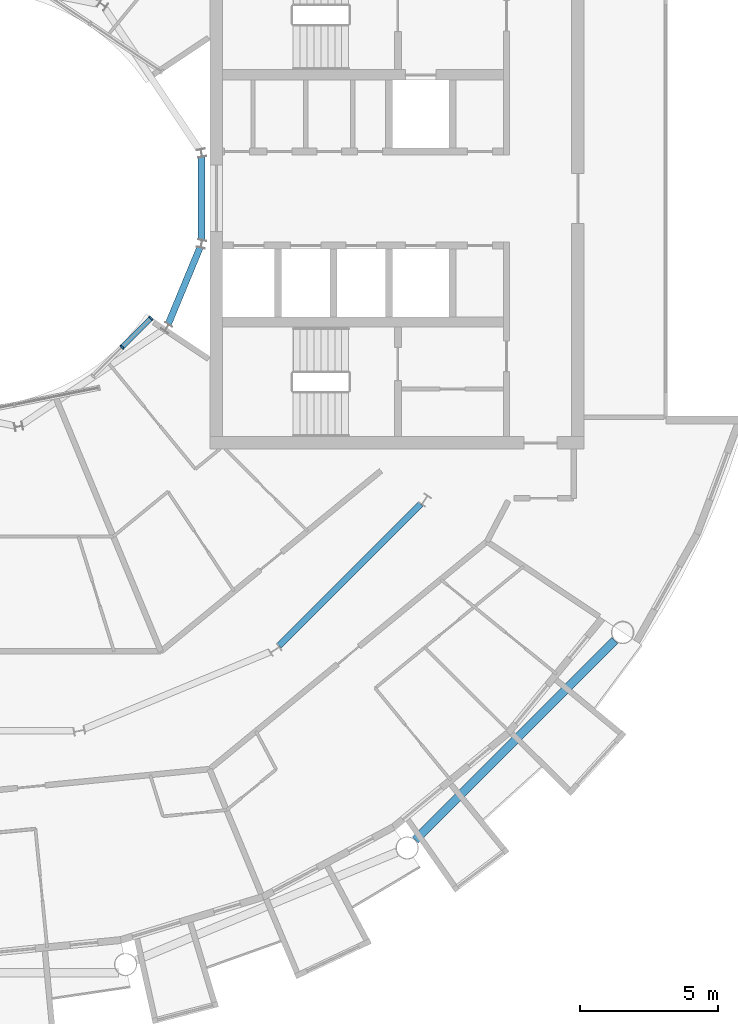
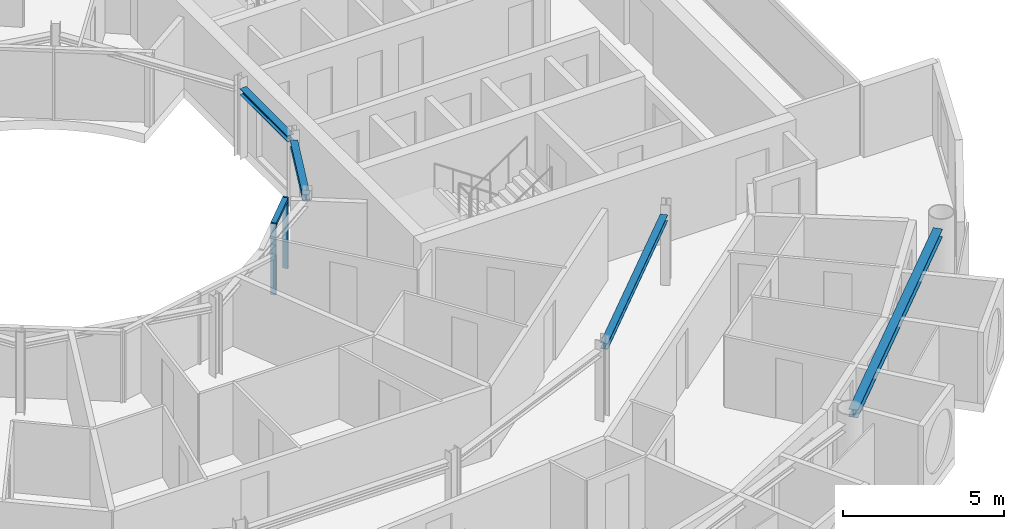
# One storey, part 8 of 29: 4 beams, 3 members, 1 element without a shape of its own.
"""IFC4 building model written with IfcOpenShell, lengths in metres."""

import ifcopenshell
import ifcopenshell.guid

model = None  # the IFC model being written
_history = None  # IfcOwnerHistory: only IFC2X3 demands one
_inside = {}  # id of a spatial element -> (the spatial element, [elements in it])
_under = {}  # id of a project, library or spatial element -> (it, [spatial elements below it])
_declared = {}  # id of a project -> (the project, [libraries it declares])
_typed = {}  # id of a type object -> (the type object, [elements of that type])
_made_of = {}  # id of a material, layer set ... -> (it, [elements and type objects made of it])


def new_model(schema):
    """Start an empty IFC model of exactly this schema.

    Asked for "IFC4X3", IfcOpenShell would pick the latest addendum, in which some entities
    have other attributes; the version numbers below select the first issue.
    IFC2X3 requires an IfcOwnerHistory on every rooted entity: one is made here for all.
    """
    global model, _history
    if schema == "IFC4X3":
        model = ifcopenshell.file(schema_version=(4, 3, 0, 0))
    else:
        model = ifcopenshell.file(schema=schema)
    _inside.clear()
    _under.clear()
    _declared.clear()
    _typed.clear()
    _made_of.clear()
    _history = None
    if model.schema == "IFC2X3":
        org = make("IfcOrganization", Name="unknown")
        user = make(
            "IfcPersonAndOrganization",
            ThePerson=make("IfcPerson", FamilyName="unknown"),
            TheOrganization=org,
        )
        app = make(
            "IfcApplication",
            ApplicationDeveloper=org,
            Version="unknown",
            ApplicationFullName="unknown",
            ApplicationIdentifier="unknown",
        )
        _history = make(
            "IfcOwnerHistory",
            OwningUser=user,
            OwningApplication=app,
            ChangeAction="ADDED",
            CreationDate=0,
        )
    return model


def make(cls, **values):
    """One entity of the class cls with the attributes given. An attribute that is None is left unset."""
    return model.create_entity(
        cls, **{name: value for name, value in values.items() if value is not None}
    )


def rooted(cls, **values):
    """An entity with a GlobalId (a new one), such as an element, a storey or a relation."""
    return make(cls, GlobalId=ifcopenshell.guid.new(), OwnerHistory=_history, **values)


def si_unit(unit_type, name, prefix=None):
    """IfcSIUnit, for example si_unit("LENGTHUNIT", "METRE", prefix="MILLI")."""
    return make("IfcSIUnit", UnitType=unit_type, Prefix=prefix, Name=name)


def assignment(units):
    """IfcUnitAssignment: the units of a project."""
    return None if units is None else make("IfcUnitAssignment", Units=units)


def point(xyz):
    """IfcCartesianPoint."""
    return None if xyz is None else make("IfcCartesianPoint", Coordinates=xyz)


def direction(xyz):
    """IfcDirection."""
    return None if xyz is None else make("IfcDirection", DirectionRatios=xyz)


def frame(location, z_axis=None, x_axis=None):
    """IfcAxis2Placement3D, a coordinate frame: its origin and axes. An axis left out is left unset."""
    return make(
        "IfcAxis2Placement3D",
        Location=point(location),
        Axis=direction(z_axis),
        RefDirection=direction(x_axis),
    )


def frame_2d(location, x_axis=None):
    """IfcAxis2Placement2D, a coordinate frame in the plane: its origin and x axis."""
    return make(
        "IfcAxis2Placement2D", Location=point(location), RefDirection=direction(x_axis)
    )


def origin():
    """The frame at (0, 0, 0) with its axes left unset."""
    return frame((0.0, 0.0, 0.0))


def origin_2d():
    """The frame at (0, 0) in the plane with its x axis left unset."""
    return frame_2d((0.0, 0.0))


def place(relative_to, where):
    """IfcLocalPlacement: puts the frame where relative to a parent placement (None: the world)."""
    return make(
        "IfcLocalPlacement", PlacementRelTo=relative_to, RelativePlacement=where
    )


def context(
    kind, dimensions, precision=None, world=None, true_north=None, identifier=None
):
    """IfcGeometricRepresentationContext, for example the 3D "Model" context."""
    return make(
        "IfcGeometricRepresentationContext",
        ContextIdentifier=identifier,
        ContextType=kind,
        CoordinateSpaceDimension=dimensions,
        Precision=precision,
        WorldCoordinateSystem=world,
        TrueNorth=true_north,
    )


def subcontext(parent, identifier, kind, view, scale=None):
    """IfcGeometricRepresentationSubContext, for example "Body" below "Model"."""
    return make(
        "IfcGeometricRepresentationSubContext",
        ContextIdentifier=identifier,
        ContextType=kind,
        ParentContext=parent,
        TargetScale=scale,
        TargetView=view,
    )


def project(units=None, contexts=None):
    """IfcProject with its units and contexts."""
    return rooted(
        "IfcProject",
        Name="project",
        RepresentationContexts=contexts,
        UnitsInContext=assignment(units),
    )


def spatial(cls, under=None, at=None, **own):
    """A site, building, storey or space (cls), placed at a placement, below another one or the project."""
    s = rooted(cls, ObjectPlacement=at, **own)
    if under is not None:
        _under.setdefault(under.id(), (under, []))[1].append(s)
    return s


def profile(cls, at=None, kind="AREA", **sizes):
    """A parametric profile (cls). Its sizes go by their IFC names, for example OverallWidth=200.0."""
    return make(cls, ProfileType=kind, Position=at, **sizes)


def rectangle(**sizes):
    """IfcRectangleProfileDef."""
    return profile("IfcRectangleProfileDef", **sizes)


def i_section(**sizes):
    """IfcIShapeProfileDef."""
    return profile("IfcIShapeProfileDef", **sizes)


def extrude(swept, where, along, depth):
    """IfcExtrudedAreaSolid: the profile swept, set in the frame where, extruded along a direction by depth."""
    return make(
        "IfcExtrudedAreaSolid",
        SweptArea=swept,
        Position=where,
        ExtrudedDirection=direction(along),
        Depth=depth,
    )


def shape(context_of_items, identifier, shape_type, items):
    """IfcShapeRepresentation: the items that make up one representation, for example the "Body"."""
    return make(
        "IfcShapeRepresentation",
        ContextOfItems=context_of_items,
        RepresentationIdentifier=identifier,
        RepresentationType=shape_type,
        Items=items,
    )


def material(Name=None, Category=None):
    """IfcMaterial."""
    return make("IfcMaterial", Name=Name, Category=Category)


def layer(
    of_material, thickness, ventilated=None, Name=None, Category=None, Priority=None
):
    """IfcMaterialLayer: one layer of a wall or slab, of a material (None: an air gap)."""
    return make(
        "IfcMaterialLayer",
        Material=of_material,
        LayerThickness=thickness,
        IsVentilated=ventilated,
        Name=Name,
        Category=Category,
        Priority=Priority,
    )


def layer_set(layers, Name=None):
    """IfcMaterialLayerSet."""
    return make("IfcMaterialLayerSet", MaterialLayers=layers, LayerSetName=Name)


def material_profile(
    of_material, cross_section, Name=None, Category=None, Priority=None
):
    """IfcMaterialProfile: a cross section and its material."""
    return make(
        "IfcMaterialProfile",
        Name=Name,
        Material=of_material,
        Profile=cross_section,
        Priority=Priority,
        Category=Category,
    )


def profile_set(profiles, Name=None, composite=None):
    """IfcMaterialProfileSet."""
    return make(
        "IfcMaterialProfileSet",
        Name=Name,
        MaterialProfiles=profiles,
        CompositeProfile=composite,
    )


def made_of(thing, what):
    """Note that an element or type object is made of a material, layer set ...; save() writes the relation."""
    if what is not None:
        _made_of.setdefault(what.id(), (what, []))[1].append(thing)
    return thing


def type_object(cls, material=None, **own):
    """A type object (cls), such as IfcWallType, which elements share."""
    return made_of(rooted(cls, **own), material)


def element(
    cls,
    number,
    at=None,
    inside=None,
    cuts=None,
    type_object=None,
    material=None,
    context=None,
    identifier="Body",
    shape_type=None,
    held_by="IfcProductDefinitionShape",
    body=None,
    shapes=None,
    **own,
):
    """One element of the class cls, such as IfcWall. Its Tag is "e" and its number.

    at: its placement. inside: the storey or other place that contains it. cuts: it is an
    opening in that element (IfcRelVoidsElement). A single representation is given by context,
    identifier, shape_type and body (its items); several are given by shapes. held_by: the class
    of the entity that holds the representations. save() writes the other relations.
    """
    e = rooted(cls, Tag="e%d" % number, ObjectPlacement=at, **own)
    if body is not None:
        shapes = [shape(context, identifier, shape_type, body)]
    if shapes is not None:
        e.Representation = make(held_by, Representations=shapes)
    if inside is not None:
        _inside.setdefault(inside.id(), (inside, []))[1].append(e)
    if cuts is not None:
        rooted(
            "IfcRelVoidsElement", RelatingBuildingElement=cuts, RelatedOpeningElement=e
        )
    if type_object is not None:
        _typed.setdefault(type_object.id(), (type_object, []))[1].append(e)
    return made_of(e, material)


def aggregate(whole, parts):
    """IfcRelAggregates: a whole, such as a stair, and the parts it consists of."""
    return rooted("IfcRelAggregates", RelatingObject=whole, RelatedObjects=parts)


def save(model, path):
    """Write the relations noted so far, then the file.

    IfcRelAggregates (storeys below a building ...), IfcRelContainedInSpatialStructure (elements
    in a storey), IfcRelDefinesByType, IfcRelAssociatesMaterial and IfcRelDeclares: one each for
    every whole, place, type object, material and project.
    """
    for whole, parts in _under.values():
        aggregate(whole, parts)
    for where, things in _inside.values():
        rooted(
            "IfcRelContainedInSpatialStructure",
            RelatedElements=things,
            RelatingStructure=where,
        )
    for kind, things in _typed.values():
        rooted("IfcRelDefinesByType", RelatedObjects=things, RelatingType=kind)
    for what, things in _made_of.values():
        rooted("IfcRelAssociatesMaterial", RelatedObjects=things, RelatingMaterial=what)
    for by, libraries in _declared.values():
        rooted("IfcRelDeclares", RelatingContext=by, RelatedDefinitions=libraries)
    model.write(path)


model = new_model("IFC4")

# Units and contexts
model_context = context("Model", 3, precision=1e-05, world=origin(), true_north=direction((0.0, 1.0)))
body_context = subcontext(model_context, "Body", "Model", "MODEL_VIEW")
ifc_project = project(units=[si_unit("LENGTHUNIT", "METRE"), si_unit("AREAUNIT", "SQUARE_METRE"), si_unit("VOLUMEUNIT", "CUBIC_METRE"), si_unit("PLANEANGLEUNIT", "RADIAN"), si_unit("MASSUNIT", "GRAM", prefix="KILO")], contexts=[model_context])

# Site, building, storey
site_placement = place(None, origin())
site = spatial("IfcSite", under=ifc_project, at=site_placement, CompositionType="ELEMENT")
building_placement = place(site_placement, origin())
building = spatial("IfcBuilding", under=site, at=building_placement, Name="Maasbend Ring Residences", CompositionType="ELEMENT")
storey_placement = place(building_placement, frame((0.0, 0.0, 205.449951171875)))
storey = spatial("IfcBuildingStorey", under=building, at=storey_placement, Name="L59", CompositionType="ELEMENT", Elevation=205.449951171875)

# Curtain wall, members
ifc_material_1 = material(Name="Aluminium and clear glass", Category="aluminium")
ifc_layer = layer(ifc_material_1, 0.179931640625)
ifc_layer_set = layer_set([ifc_layer], Name="CW-W")
curtain_wall_type = type_object("IfcCurtainWallType", Name="CW-W", PredefinedType="NOTDEFINED", material=ifc_layer_set)
curtain_wall_placement = place(storey_placement, origin())
curtain_wall = element("IfcCurtainWall", 1, at=curtain_wall_placement, inside=storey, type_object=curtain_wall_type, Name="Well curtain wall S3", PredefinedType="NOTDEFINED")
ifc_material_2 = material(Name="Aluminium 6063-T6", Category="aluminium")
ifc_material_profile_1 = material_profile(ifc_material_2, rectangle(XDim=0.179931640625, YDim=0.06005859375, at=origin_2d()), Name="AL 180x60")
ifc_profile_set_1 = profile_set([ifc_material_profile_1], Name="Aluminium 6063-T6")
member_type_1 = type_object("IfcMemberType", Name="CWM-W", PredefinedType="MULLION", material=ifc_profile_set_1)
member_1_placement = place(storey_placement, frame((5.366943359375, -5.366943359375, 0.0), z_axis=(0.0, 0.0, 1.0), x_axis=(-0.707106781187, 0.707106781187, 0.0)))
member_1 = element("IfcMember", 2, at=member_1_placement, type_object=member_type_1, Name="Mullion well face", PredefinedType="MULLION", context=body_context, shape_type="SweptSolid", body=[
    extrude(rectangle(XDim=0.179931640625, YDim=0.06005859375, at=origin_2d()), origin(), (0.0, 0.0, 1.0), 2.699951171875),
])
member_2_placement = place(storey_placement, frame((6.413330078125, -4.320556640625, 0.0), z_axis=(0.0, 0.0, 1.0), x_axis=(-0.707106781187, 0.707106781187, 0.0)))
member_2 = element("IfcMember", 3, at=member_2_placement, type_object=member_type_1, Name="Mullion well face", PredefinedType="MULLION", context=body_context, shape_type="SweptSolid", body=[
    extrude(rectangle(XDim=0.179931640625, YDim=0.06005859375, at=origin_2d()), origin(), (0.0, 0.0, 1.0), 2.699951171875),
])
ifc_material_3 = material(Name="Aluminium 6063-T6", Category="aluminium")
ifc_material_profile_2 = material_profile(ifc_material_3, rectangle(XDim=0.179931640625, YDim=0.1201171875, at=origin_2d()), Name="AL 180x120")
ifc_profile_set_2 = profile_set([ifc_material_profile_2], Name="Aluminium 6063-T6")
member_type_2 = type_object("IfcMemberType", Name="CWT-W", PredefinedType="USERDEFINED", material=ifc_profile_set_2)
member_3_placement = place(storey_placement, frame((5.38818359375, -5.345703125, 2.64013671875), z_axis=(0.707106781187, 0.707106781187, 0.0), x_axis=(-0.707106781187, 0.707106781187, 0.0)))
member_3 = element("IfcMember", 4, at=member_3_placement, type_object=member_type_2, Name="Transom well face", ObjectType="TRANSOM", PredefinedType="USERDEFINED", context=body_context, shape_type="SweptSolid", body=[
    extrude(rectangle(XDim=0.179931640625, YDim=0.1201171875, at=origin_2d()), origin(), (0.0, 0.0, 1.0), 1.419677734375),
])
aggregate(curtain_wall, [member_1, member_2, member_3])

# Beams
ifc_material_4 = material(Name="Steel S355J2", Category="steel")
ifc_material_profile_3 = material_profile(ifc_material_4, i_section(OverallWidth=0.239990234375, OverallDepth=0.22998046875, WebThickness=0.007568359375, FlangeThickness=0.011962890625, FilletRadius=0.02099609375, at=origin_2d()), Name="HEA 240")
ifc_profile_set_3 = profile_set([ifc_material_profile_3], Name="Steel S355J2")
beam_type_1 = type_object("IfcBeamType", Name="Corridor ring beam HEA 240", PredefinedType="BEAM", material=ifc_profile_set_3)
beam_1_placement = place(storey_placement, frame((11.033447265625, -16.152587890625, 2.5849609375), z_axis=(0.707106781187, 0.707106781187, 0.0), x_axis=(-0.707106781187, 0.707106781187, 0.0)))
element("IfcBeam", 5, at=beam_1_placement, inside=storey, type_object=beam_type_1, Name="Corridor ring beam", PredefinedType="BEAM", context=body_context, shape_type="SweptSolid", body=[
    extrude(i_section(OverallWidth=0.239990234375, OverallDepth=0.22998046875, WebThickness=0.007568359375, FlangeThickness=0.011962890625, FilletRadius=0.02099609375, at=origin_2d()), origin(), (0.0, 0.0, 1.0), 7.239501953125),
])
ifc_material_5 = material(Name="Steel S355J2", Category="steel")
ifc_material_profile_4 = material_profile(ifc_material_5, i_section(OverallWidth=0.300048828125, OverallDepth=0.300048828125, WebThickness=0.010986328125, FlangeThickness=0.01904296875, FilletRadius=0.027099609375, at=origin_2d()), Name="HEB 300")
ifc_profile_set_4 = profile_set([ifc_material_profile_4], Name="Steel S355J2")
beam_type_2 = type_object("IfcBeamType", Name="Spandrel ring beam HEB 300", PredefinedType="SPANDREL", material=ifc_profile_set_4)
beam_2_placement = place(storey_placement, frame((15.95458984375, -23.159912109375, 2.550048828125), z_axis=(0.707106781187, 0.707106781187, 0.0), x_axis=(-0.707106781187, 0.707106781187, 0.0)))
element("IfcBeam", 6, at=beam_2_placement, inside=storey, type_object=beam_type_2, Name="Spandrel ring beam", PredefinedType="SPANDREL", context=body_context, shape_type="SweptSolid", body=[
    extrude(i_section(OverallWidth=0.300048828125, OverallDepth=0.300048828125, WebThickness=0.010986328125, FlangeThickness=0.01904296875, FilletRadius=0.027099609375, at=origin_2d()), origin(), (0.0, 0.0, 1.0), 10.18994140625),
])
ifc_material_6 = material(Name="Steel S355J2", Category="steel")
ifc_material_profile_5 = material_profile(ifc_material_6, i_section(OverallWidth=0.239990234375, OverallDepth=0.22998046875, WebThickness=0.007568359375, FlangeThickness=0.011962890625, FilletRadius=0.02099609375, at=origin_2d()), Name="HEA 240")
ifc_profile_set_5 = profile_set([ifc_material_profile_5], Name="Steel S355J2")
beam_type_3 = type_object("IfcBeamType", Name="Well edge beam HEA 240", PredefinedType="BEAM", material=ifc_profile_set_5)
beam_3_placement = place(storey_placement, frame((7.041015625, -4.5302734375, 2.5849609375), z_axis=(0.382614534057, 0.923908068115, 0.0), x_axis=(-0.923908068115, 0.382614534057, 0.0)))
element("IfcBeam", 7, at=beam_3_placement, inside=storey, type_object=beam_type_3, Name="Well edge beam", PredefinedType="BEAM", context=body_context, shape_type="SweptSolid", body=[
    extrude(i_section(OverallWidth=0.239990234375, OverallDepth=0.22998046875, WebThickness=0.007568359375, FlangeThickness=0.011962890625, FilletRadius=0.02099609375, at=origin_2d()), origin(), (0.0, 0.0, 1.0), 2.981689453125),
])
beam_4_placement = place(storey_placement, frame((8.238525390625, -1.490966796875, 2.5849609375), z_axis=(0.0, 1.0, 0.0), x_axis=(-1.0, 0.0, 0.0)))
element("IfcBeam", 8, at=beam_4_placement, inside=storey, type_object=beam_type_3, Name="Well edge beam", PredefinedType="BEAM", context=body_context, shape_type="SweptSolid", body=[
    extrude(i_section(OverallWidth=0.239990234375, OverallDepth=0.22998046875, WebThickness=0.007568359375, FlangeThickness=0.011962890625, FilletRadius=0.02099609375, at=origin_2d()), origin(), (0.0, 0.0, 1.0), 2.98193359375),
])

save(model, "model.ifc")
